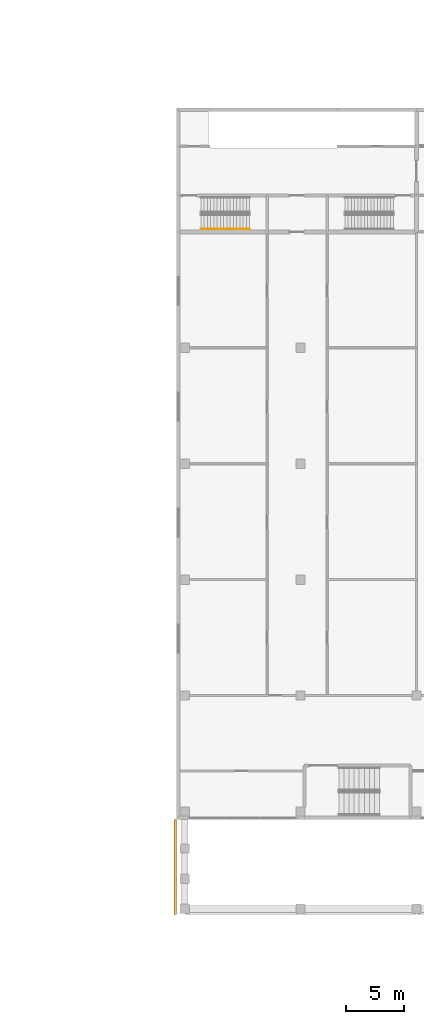
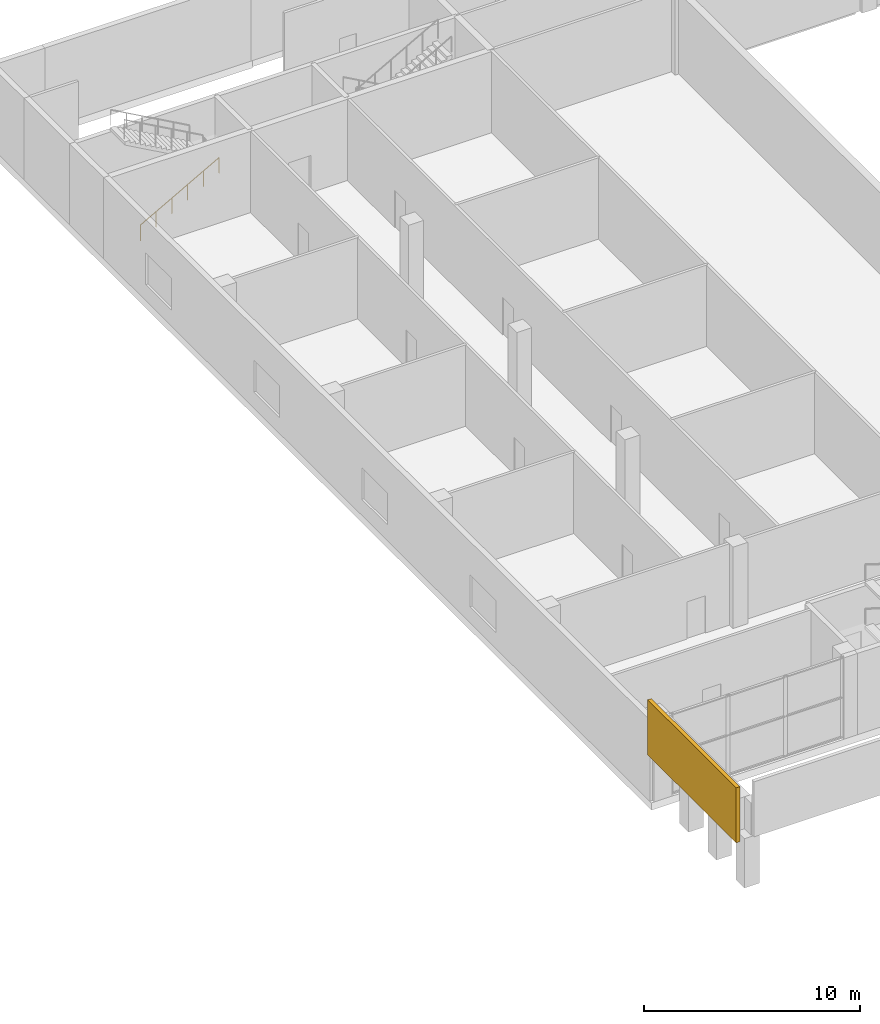
# One storey, part 26 of 36: 1 covering, 1 railing.
"""IFC4 building model written with IfcOpenShell, lengths in metres."""

from ifc_helpers import new_model, si_unit, direction, frame, origin, origin_2d, place, context, subcontext, project, spatial, rectangle, circle, extrude, material, layer, layer_set, type_object, element, save


model = new_model("IFC4")

# Units and contexts
model_context = context("Model", 3, precision=1e-05, world=origin(), true_north=direction((0.0, 1.0)))
body_context = subcontext(model_context, "Body", "Model", "MODEL_VIEW")
ifc_project = project(units=[si_unit("LENGTHUNIT", "METRE"), si_unit("AREAUNIT", "SQUARE_METRE"), si_unit("VOLUMEUNIT", "CUBIC_METRE"), si_unit("PLANEANGLEUNIT", "RADIAN"), si_unit("MASSUNIT", "GRAM", prefix="KILO")], contexts=[model_context])

# Site, building, storey
site_placement = place(None, origin())
site = spatial("IfcSite", under=ifc_project, at=site_placement, CompositionType="ELEMENT")
building_placement = place(site_placement, origin())
building = spatial("IfcBuilding", under=site, at=building_placement, Name="Jabali Bay Hotel Tower and Convention Centre", CompositionType="ELEMENT")
storey_placement = place(building_placement, frame((0.0, 0.0, 20.39990234375)))
storey = spatial("IfcBuildingStorey", under=building, at=storey_placement, Name="L03", CompositionType="ELEMENT", Elevation=20.39990234375)

# Covering
ifc_material_1 = material(Name="Precast concrete C40/50", Category="concrete")
ifc_layer = layer(ifc_material_1, 0.199951171875)
ifc_layer_set = layer_set([ifc_layer], Name="Precast concrete C40/50")
covering_type = type_object("IfcCoveringType", Name="CC South roof rim panel", PredefinedType="CLADDING", material=ifc_layer_set)
covering_placement = place(storey_placement, frame((149.89990234375, 45.199951171875, 2.7900390625), z_axis=(0.0, 0.0, 1.0), x_axis=(1.0, 0.0, 0.0)))
element("IfcCovering", 1, at=covering_placement, inside=storey, type_object=covering_type, Name="CC south roof rim end west", PredefinedType="CLADDING", context=body_context, shape_type="SweptSolid", body=[
    extrude(rectangle(XDim=0.199951171875, YDim=8.199951171875, at=origin_2d()), origin(), (0.0, 0.0, 1.0), 3.110107421875),
])

# Railing
ifc_material_2 = material(Name="Stainless steel 304", Category="steel")
railing_type = type_object("IfcRailingType", Name="CC Stair Handrail 900", PredefinedType="HANDRAIL", material=ifc_material_2)
railing_placement = place(storey_placement, frame((152.10009765625, 100.22509765625, 0.15625)))
element("IfcRailing", 2, at=railing_placement, inside=storey, type_object=railing_type, Name="L03 CC-STWA stair handrail 1", PredefinedType="HANDRAIL", context=body_context, shape_type="SweptSolid", body=[
    extrude(circle(Radius=0.02392578125, at=origin_2d()), frame((0.0, 0.0, 0.8759765625), z_axis=(0.873233870432, 0.0, 0.487301351866), x_axis=(0.0, 1.0, 0.0)), (0.0, 0.0, 1.0), 4.8095703125),
    extrude(circle(Radius=0.02099609375, at=origin_2d()), origin(), (0.0, 0.0, 1.0), 0.851806640625),
    extrude(circle(Radius=0.02099609375, at=origin_2d()), frame((0.840087890625, 0.0, 0.46875)), (0.0, 0.0, 1.0), 0.851806640625),
    extrude(circle(Radius=0.02099609375, at=origin_2d()), frame((1.679931640625, 0.0, 0.9375)), (0.0, 0.0, 1.0), 0.851806640625),
    extrude(circle(Radius=0.02099609375, at=origin_2d()), frame((2.52001953125, 0.0, 1.40625)), (0.0, 0.0, 1.0), 0.851806640625),
    extrude(circle(Radius=0.02099609375, at=origin_2d()), frame((3.35986328125, 0.0, 1.875)), (0.0, 0.0, 1.0), 0.851806640625),
    extrude(circle(Radius=0.02099609375, at=origin_2d()), frame((4.199951171875, 0.0, 2.34375)), (0.0, 0.0, 1.0), 0.851806640625),
])

save(model, "model.ifc")
